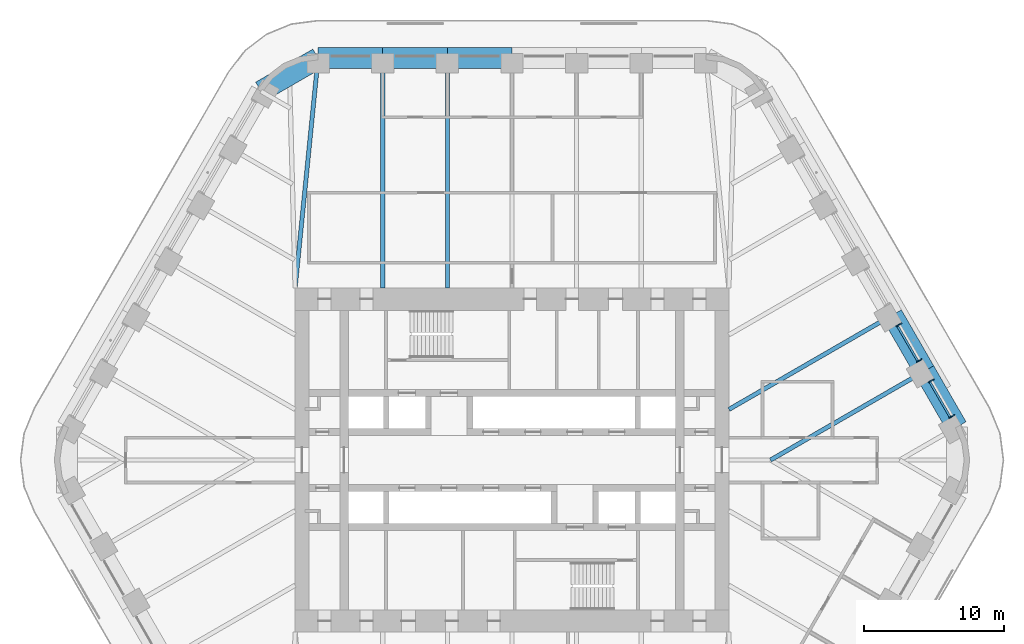
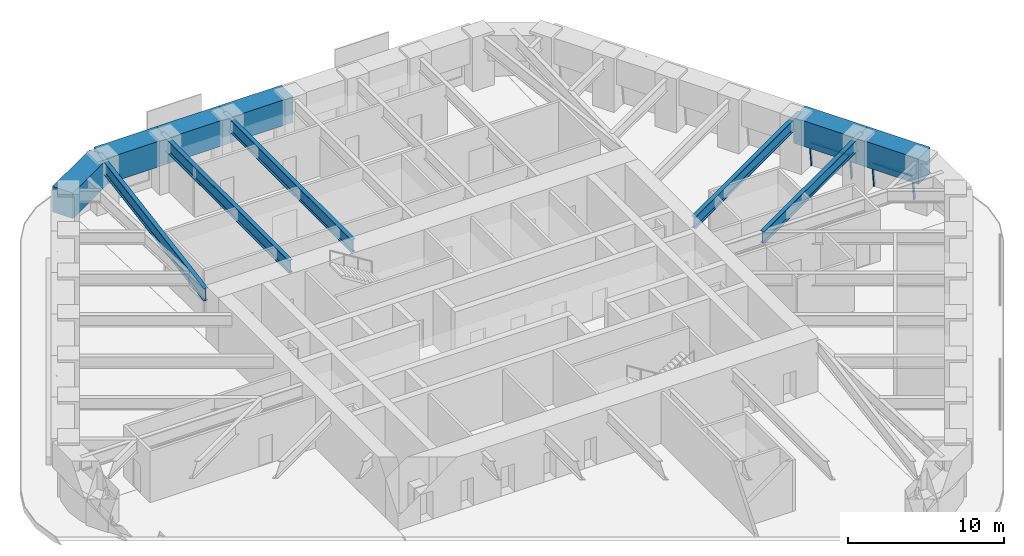
# One storey, part 9 of 20: 11 beams, 6 members, 2 elements without a shape of their own.
"""IFC4 building model written with IfcOpenShell, lengths in metres."""

from ifc_helpers import new_model, si_unit, direction, frame, origin, origin_2d, place, context, subcontext, project, spatial, rectangle, i_section, extrude, material, material_profile, profile_set, type_object, element, aggregate, save


model = new_model("IFC4")

# Units and contexts
model_context = context("Model", 3, precision=1e-05, world=origin(), true_north=direction((0.0, 1.0)))
body_context = subcontext(model_context, "Body", "Model", "MODEL_VIEW")
ifc_project = project(units=[si_unit("LENGTHUNIT", "METRE"), si_unit("AREAUNIT", "SQUARE_METRE"), si_unit("VOLUMEUNIT", "CUBIC_METRE"), si_unit("PLANEANGLEUNIT", "RADIAN"), si_unit("MASSUNIT", "GRAM", prefix="KILO")], contexts=[model_context])

# Site, building, storey
site_placement = place(None, origin())
site = spatial("IfcSite", under=ifc_project, at=site_placement, CompositionType="ELEMENT")
building_placement = place(site_placement, origin())
building = spatial("IfcBuilding", under=site, at=building_placement, Name="Tarfa Lantern Tower", CompositionType="ELEMENT")
storey_placement = place(building_placement, frame((0.0, 0.0, 223.89990234375)))
storey = spatial("IfcBuildingStorey", under=building, at=storey_placement, Name="L50", CompositionType="ELEMENT", Elevation=223.89990234375)

# Curtain wall, members
ifc_material_1 = material(Name="Aluminium framed curtain wall", Category="aluminium")
curtain_wall_type = type_object("IfcCurtainWallType", Name="CW3 CANTED GLAZING HIGH ZONE 2000", PredefinedType="USERDEFINED", material=ifc_material_1)
curtain_wall_1_placement = place(storey_placement, origin())
curtain_wall_1 = element("IfcCurtainWall", 1, at=curtain_wall_1_placement, inside=storey, type_object=curtain_wall_type, Name="CW3 NE L50", ObjectType="CURTAIN WALL", PredefinedType="USERDEFINED")
ifc_material_2 = material(Name="Aluminium mullion", Category="aluminium")
ifc_material_profile_1 = material_profile(ifc_material_2, rectangle(XDim=0.06494140625, YDim=0.199951171875, at=origin_2d()), Name="AL MULLION 65x200")
ifc_profile_set_1 = profile_set([ifc_material_profile_1], Name="Aluminium mullion")
member_type_1 = type_object("IfcMemberType", Name="CWM1 MULLION 65x200", PredefinedType="MULLION", material=ifc_profile_set_1)
member_1_placement = place(storey_placement, frame((31.5400390625, 3.1708984375, 0.0), z_axis=(-0.107439978116, -0.062017213975, 0.992275423596), x_axis=(0.499919672301, -0.866071776036, 0.0)))
member_1 = element("IfcMember", 2, at=member_1_placement, type_object=member_type_1, Name="CW3 mullion 1", PredefinedType="MULLION", context=body_context, shape_type="SweptSolid", body=[
    extrude(rectangle(XDim=0.06494140625, YDim=0.199951171875, at=origin_2d()), origin(), (0.0, 0.0, 1.0), 2.015625),
])
member_2_placement = place(storey_placement, frame((30.063232421875, 5.72900390625, 0.0), z_axis=(-0.107439978116, -0.062017213975, 0.992275423596), x_axis=(0.499919672301, -0.866071776036, 0.0)))
member_2 = element("IfcMember", 3, at=member_2_placement, type_object=member_type_1, Name="CW3 mullion 2", PredefinedType="MULLION", context=body_context, shape_type="SweptSolid", body=[
    extrude(rectangle(XDim=0.06494140625, YDim=0.199951171875, at=origin_2d()), origin(), (0.0, 0.0, 1.0), 2.015625),
])

curtain_wall_2_placement = place(storey_placement, origin())
curtain_wall_2 = element("IfcCurtainWall", 4, at=curtain_wall_2_placement, inside=storey, type_object=curtain_wall_type, Name="CW3 NE L50", ObjectType="CURTAIN WALL", PredefinedType="USERDEFINED")
member_3_placement = place(storey_placement, frame((29.230712890625, 7.1708984375, 0.0), z_axis=(-0.107439978116, -0.062017213975, 0.992275423596), x_axis=(0.499919672301, -0.866071776036, 0.0)))
member_3 = element("IfcMember", 5, at=member_3_placement, type_object=member_type_1, Name="CW3 mullion 1", PredefinedType="MULLION", context=body_context, shape_type="SweptSolid", body=[
    extrude(rectangle(XDim=0.06494140625, YDim=0.199951171875, at=origin_2d()), origin(), (0.0, 0.0, 1.0), 2.015625),
])
member_4_placement = place(storey_placement, frame((27.75390625, 9.72900390625, 0.0), z_axis=(-0.107439978116, -0.062017213975, 0.992275423596), x_axis=(0.499919672301, -0.866071776036, 0.0)))
member_4 = element("IfcMember", 6, at=member_4_placement, type_object=member_type_1, Name="CW3 mullion 2", PredefinedType="MULLION", context=body_context, shape_type="SweptSolid", body=[
    extrude(rectangle(XDim=0.06494140625, YDim=0.199951171875, at=origin_2d()), origin(), (0.0, 0.0, 1.0), 2.015625),
])

# Member
ifc_material_3 = material(Name="Aluminium transom", Category="aluminium")
ifc_material_profile_2 = material_profile(ifc_material_3, rectangle(XDim=0.14990234375, YDim=0.06494140625, at=origin_2d()), Name="AL TRANSOM 150x65")
ifc_profile_set_2 = profile_set([ifc_material_profile_2], Name="Aluminium transom")
member_type_2 = type_object("IfcMemberType", Name="CWT1 TRANSOM 150x65", PredefinedType="USERDEFINED", material=ifc_profile_set_2)
member_5_placement = place(storey_placement, frame((31.310791015625, 3.076171875, 1.967529296875), z_axis=(-0.499993141028, 0.866029363778, 0.0), x_axis=(-0.866029363778, -0.499993141028, 0.0)))
member_5 = element("IfcMember", 7, at=member_5_placement, type_object=member_type_2, Name="CW3 transom 1.2", ObjectType="TRANSOM", PredefinedType="USERDEFINED", context=body_context, shape_type="SweptSolid", body=[
    extrude(rectangle(XDim=0.14990234375, YDim=0.06494140625, at=origin_2d()), origin(), (0.0, 0.0, 1.0), 2.888671875),
])

aggregate(curtain_wall_1, [member_1, member_2, member_5])

member_6_placement = place(storey_placement, frame((29.00146484375, 7.076171875, 1.967529296875), z_axis=(-0.499993141028, 0.866029363778, 0.0), x_axis=(-0.866029363778, -0.499993141028, 0.0)))
member_6 = element("IfcMember", 8, at=member_6_placement, type_object=member_type_2, Name="CW3 transom 1.2", ObjectType="TRANSOM", PredefinedType="USERDEFINED", context=body_context, shape_type="SweptSolid", body=[
    extrude(rectangle(XDim=0.14990234375, YDim=0.06494140625, at=origin_2d()), origin(), (0.0, 0.0, 1.0), 2.888671875),
])

aggregate(curtain_wall_2, [member_3, member_4, member_6])

# Beams
ifc_material_4 = material(Name="Concrete C80/95", Category="concrete")
ifc_material_profile_3 = material_profile(ifc_material_4, rectangle(XDim=1.5, YDim=2.0, at=origin_2d()), Name="RC 1500x2000")
ifc_profile_set_3 = profile_set([ifc_material_profile_3], Name="Concrete C80/95")
beam_type_1 = type_object("IfcBeamType", Name="RB3 RC 1500x2000", PredefinedType="BEAM", material=ifc_profile_set_3)
beam_1_placement = place(storey_placement, frame((31.800537109375, 2.360107421875, 3.0), z_axis=(-0.500027479704, 0.866009537788, 0.0), x_axis=(-0.866009537788, -0.500027479704, 0.0)))
element("IfcBeam", 9, at=beam_1_placement, inside=storey, type_object=beam_type_1, Name="Edge beam NE0", PredefinedType="BEAM", context=body_context, shape_type="SweptSolid", body=[
    extrude(rectangle(XDim=1.5, YDim=2.0, at=origin_2d()), origin(), (0.0, 0.0, 1.0), 4.618896484375),
])
beam_2_placement = place(storey_placement, frame((29.490966796875, 6.360107421875, 3.0), z_axis=(-0.499987836815, 0.866032426089, 0.0), x_axis=(-0.866032426089, -0.499987836815, 0.0)))
element("IfcBeam", 10, at=beam_2_placement, inside=storey, type_object=beam_type_1, Name="Edge beam NE1", PredefinedType="BEAM", context=body_context, shape_type="SweptSolid", body=[
    extrude(rectangle(XDim=1.5, YDim=2.0, at=origin_2d()), origin(), (0.0, 0.0, 1.0), 4.61865234375),
])
beam_3_placement = place(storey_placement, frame((0.0, 28.719970703125, 3.0), z_axis=(-1.0, 0.0, 0.0), x_axis=(0.0, -1.0, 0.0)))
element("IfcBeam", 11, at=beam_3_placement, inside=storey, type_object=beam_type_1, Name="Edge beam N3", PredefinedType="BEAM", context=body_context, shape_type="SweptSolid", body=[
    extrude(rectangle(XDim=1.5, YDim=2.0, at=origin_2d()), origin(), (0.0, 0.0, 1.0), 4.618896484375),
])
beam_4_placement = place(storey_placement, frame((-4.618896484375, 28.719970703125, 3.0), z_axis=(-1.0, 0.0, 0.0), x_axis=(0.0, -1.0, 0.0)))
element("IfcBeam", 12, at=beam_4_placement, inside=storey, type_object=beam_type_1, Name="Edge beam N4", PredefinedType="BEAM", context=body_context, shape_type="SweptSolid", body=[
    extrude(rectangle(XDim=1.5, YDim=2.0, at=origin_2d()), origin(), (0.0, 0.0, 1.0), 4.61865234375),
])
beam_5_placement = place(storey_placement, frame((-9.237548828125, 28.719970703125, 3.0), z_axis=(-1.0, 0.0, 0.0), x_axis=(0.0, -1.0, 0.0)))
element("IfcBeam", 13, at=beam_5_placement, inside=storey, type_object=beam_type_1, Name="Edge beam N5", PredefinedType="BEAM", context=body_context, shape_type="SweptSolid", body=[
    extrude(rectangle(XDim=1.5, YDim=2.0, at=origin_2d()), origin(), (0.0, 0.0, 1.0), 4.618896484375),
])
beam_6_placement = place(storey_placement, frame((-13.8564453125, 28.719970703125, 3.0), z_axis=(-0.866038294681, -0.499977671647, 0.0), x_axis=(0.499977671647, -0.866038294681, 0.0)))
element("IfcBeam", 14, at=beam_6_placement, inside=storey, type_object=beam_type_1, Name="Edge beam N6", PredefinedType="BEAM", context=body_context, shape_type="SweptSolid", body=[
    extrude(rectangle(XDim=1.5, YDim=2.0, at=origin_2d()), origin(), (0.0, 0.0, 1.0), 4.719970703125),
])
ifc_material_5 = material(Name="Steel S460M", Category="steel")
ifc_material_profile_4 = material_profile(ifc_material_5, i_section(OverallWidth=0.302001953125, OverallDepth=1.008056640625, WebThickness=0.02099609375, FlangeThickness=0.0400390625, FilletRadius=0.030029296875, at=origin_2d()), Name="UB1016x305x349")
ifc_profile_set_4 = profile_set([ifc_material_profile_4], Name="Steel S460M")
beam_type_2 = type_object("IfcBeamType", Name="UB1016x305x349", PredefinedType="BEAM", material=ifc_profile_set_4)
for number, where, z_axis, x_axis, name in (
    (15, (-4.618896484375, 28.719970703125, 3.49609375), (0.0, -1.0, 0.0), (1.0, 0.0, 0.0), "Floor beam N4"),
    (16, (-9.237548828125, 28.719970703125, 3.49609375), (0.0, -1.0, 0.0), (1.0, 0.0, 0.0), "Floor beam N5"),
):
    element("IfcBeam", number, at=place(storey_placement, frame(where, z_axis=z_axis, x_axis=x_axis)), inside=storey, type_object=beam_type_2, Name=name, PredefinedType="BEAM", context=body_context, shape_type="SweptSolid", body=[
        extrude(i_section(OverallWidth=0.302001953125, OverallDepth=1.008056640625, WebThickness=0.02099609375, FlangeThickness=0.0400390625, FilletRadius=0.030029296875, at=origin_2d()), origin(), (0.0, 0.0, 1.0), 16.419921875),
    ])
beam_7_placement = place(storey_placement, frame((-13.8564453125, 28.719970703125, 3.49609375), z_axis=(-0.099597466746, -0.995027810977, 0.0), x_axis=(0.995027810977, -0.099597466746, 0.0)))
element("IfcBeam", 17, at=beam_7_placement, inside=storey, type_object=beam_type_2, Name="Floor beam N6", PredefinedType="BEAM", context=body_context, shape_type="SweptSolid", body=[
    extrude(i_section(OverallWidth=0.302001953125, OverallDepth=1.008056640625, WebThickness=0.02099609375, FlangeThickness=0.0400390625, FilletRadius=0.030029296875, at=origin_2d()), origin(), (0.0, 0.0, 1.0), 16.501953125),
])
ifc_material_profile_5 = material_profile(ifc_material_5, i_section(OverallWidth=0.305419921875, OverallDepth=0.91845703125, WebThickness=0.017333984375, FlangeThickness=0.02783203125, FilletRadius=0.01904296875, at=origin_2d()), Name="UB914x305x253")
ifc_profile_set_5 = profile_set([ifc_material_profile_5], Name="Steel S460M")
beam_type_3 = type_object("IfcBeamType", Name="UB914x305x253", PredefinedType="BEAM", material=ifc_profile_set_5)
beam_8_placement = place(storey_placement, frame((29.490966796875, 6.360107421875, 3.541015625), z_axis=(-0.866022258038, -0.500005448553, 0.0), x_axis=(0.500005448553, -0.866022258038, 0.0)))
element("IfcBeam", 18, at=beam_8_placement, inside=storey, type_object=beam_type_3, Name="Floor beam NE1", PredefinedType="BEAM", context=body_context, shape_type="SweptSolid", body=[
    extrude(i_section(OverallWidth=0.305419921875, OverallDepth=0.91845703125, WebThickness=0.017333984375, FlangeThickness=0.02783203125, FilletRadius=0.01904296875, at=origin_2d()), origin(), (0.0, 0.0, 1.0), 12.719970703125),
])
beam_9_placement = place(storey_placement, frame((27.181640625, 10.360107421875, 3.541015625), z_axis=(-0.866018002818, -0.500012818631, 0.0), x_axis=(0.500012818631, -0.866018002818, 0.0)))
element("IfcBeam", 19, at=beam_9_placement, inside=storey, type_object=beam_type_3, Name="Floor beam NE2", PredefinedType="BEAM", context=body_context, shape_type="SweptSolid", body=[
    extrude(i_section(OverallWidth=0.305419921875, OverallDepth=0.91845703125, WebThickness=0.017333984375, FlangeThickness=0.02783203125, FilletRadius=0.01904296875, at=origin_2d()), origin(), (0.0, 0.0, 1.0), 13.489013671875),
])

save(model, "model.ifc")
